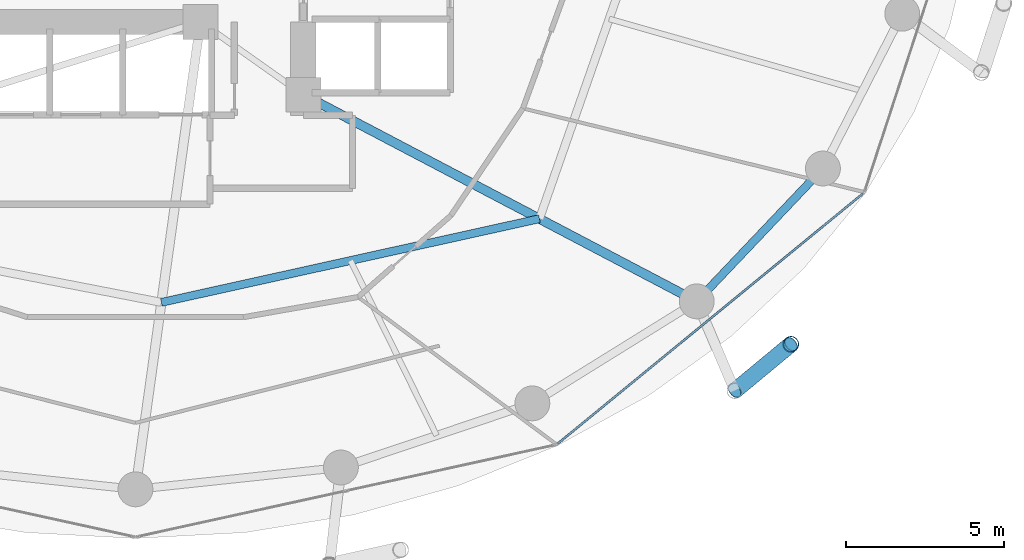
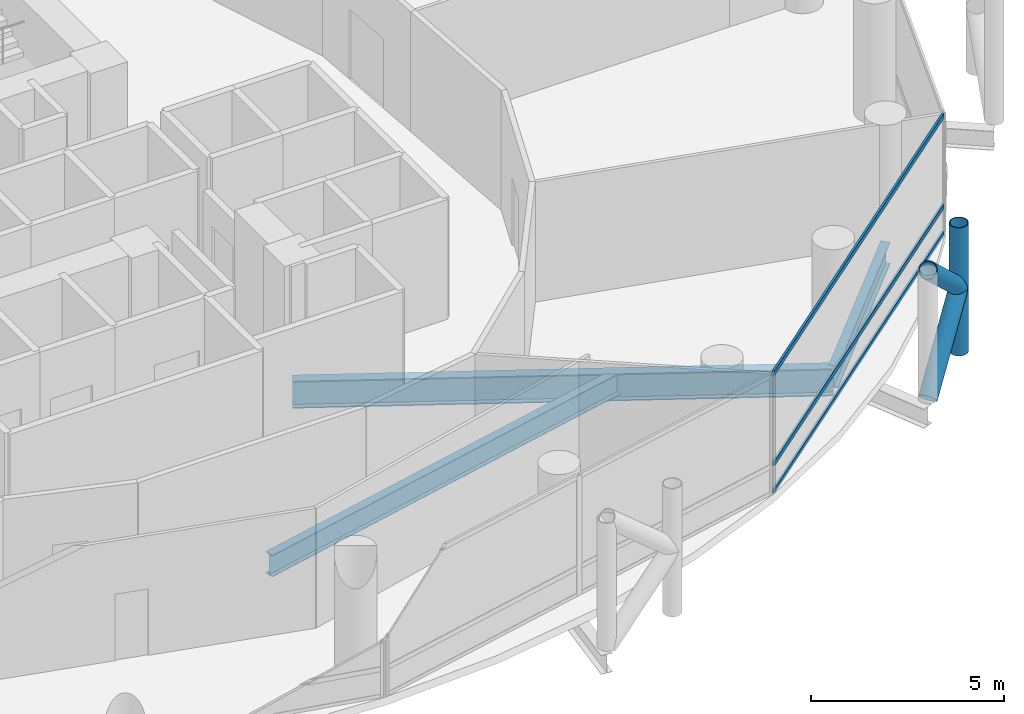
# One storey, part 9 of 24: 6 members, 3 beams, 1 element without a shape of its own.
"""IFC4 building model written with IfcOpenShell, lengths in metres."""

from ifc_helpers import new_model, si_unit, direction, frame, origin, origin_2d, place, context, subcontext, project, spatial, hollow_rectangle, hollow_circle, i_section, extrude, material, layer, layer_set, material_profile, profile_set, type_object, element, aggregate, save


model = new_model("IFC4")

# Units and contexts
model_context = context("Model", 3, precision=1e-05, world=origin(), true_north=direction((0.0, 1.0)))
body_context = subcontext(model_context, "Body", "Model", "MODEL_VIEW")
ifc_project = project(units=[si_unit("LENGTHUNIT", "METRE"), si_unit("AREAUNIT", "SQUARE_METRE"), si_unit("VOLUMEUNIT", "CUBIC_METRE"), si_unit("PLANEANGLEUNIT", "RADIAN"), si_unit("MASSUNIT", "GRAM", prefix="KILO")], contexts=[model_context])

# Site, building, storey
site_placement = place(None, origin())
site = spatial("IfcSite", under=ifc_project, at=site_placement, CompositionType="ELEMENT")
building_placement = place(site_placement, origin())
building = spatial("IfcBuilding", under=site, at=building_placement, Name="Nuhasar Tower", CompositionType="ELEMENT")
storey_placement = place(building_placement, frame((0.0, 0.0, 41.25)))
storey = spatial("IfcBuildingStorey", under=building, at=storey_placement, Name="L09", CompositionType="ELEMENT", Elevation=41.25)

# Beams
ifc_material_1 = material(Name="Steel S355", Category="steel")
ifc_material_profile_1 = material_profile(ifc_material_1, i_section(OverallWidth=0.25390625, OverallDepth=0.68408203125, WebThickness=0.012451171875, FlangeThickness=0.018798828125, at=origin_2d()), Name="W27X94")
ifc_profile_set_1 = profile_set([ifc_material_profile_1], Name="Steel S355")
beam_type_1 = type_object("IfcBeamType", Name="BM-INRING-W27X94", PredefinedType="BEAM", material=ifc_profile_set_1)
beam_1_placement = place(storey_placement, frame((39.820068359375, 12.449951171875, -0.60205078125), z_axis=(0.976386023343, 0.216033176665, 0.0), x_axis=(-0.216033176665, 0.976386023343, 0.0)))
element("IfcBeam", 1, at=beam_1_placement, inside=storey, type_object=beam_type_1, Name="L09 Inner Header Beam 02", PredefinedType="BEAM", context=body_context, shape_type="SweptSolid", body=[
    extrude(i_section(OverallWidth=0.25390625, OverallDepth=0.68408203125, WebThickness=0.012451171875, FlangeThickness=0.018798828125, at=origin_2d()), origin(), (0.0, 0.0, 1.0), 12.216552734375),
])
ifc_material_profile_2 = material_profile(ifc_material_1, i_section(OverallWidth=0.2919921875, OverallDepth=0.85888671875, WebThickness=0.01708984375, FlangeThickness=0.031005859375, at=origin_2d()), Name="W33X169")
ifc_profile_set_2 = profile_set([ifc_material_profile_2], Name="Steel S355")
beam_type_2 = type_object("IfcBeamType", Name="BM-POD-W33X169", PredefinedType="BEAM", material=ifc_profile_set_2)
beam_2_placement = place(storey_placement, frame((44.300048828125, 19.0, -0.68896484375), z_axis=(0.885330348705, -0.464962550816, 0.0), x_axis=(0.464962550816, 0.885330348705, 0.0)))
element("IfcBeam", 2, at=beam_2_placement, inside=storey, type_object=beam_type_2, Name="L09 Radial Floor Girder 03", PredefinedType="BEAM", context=body_context, shape_type="SweptSolid", body=[
    extrude(i_section(OverallWidth=0.2919921875, OverallDepth=0.85888671875, WebThickness=0.01708984375, FlangeThickness=0.031005859375, at=origin_2d()), origin(), (0.0, 0.0, 1.0), 14.0205078125),
])
ifc_material_profile_3 = material_profile(ifc_material_1, i_section(OverallWidth=0.256103515625, OverallDepth=0.693115234375, WebThickness=0.014404296875, FlangeThickness=0.023681640625, at=origin_2d()), Name="W27X114")
ifc_profile_set_3 = profile_set([ifc_material_profile_3], Name="Steel S355")
beam_type_3 = type_object("IfcBeamType", Name="BM-RING-W27X114", PredefinedType="SPANDREL", material=ifc_profile_set_3)
beam_3_placement = place(storey_placement, frame((56.712890625, 12.48095703125, -0.60595703125), z_axis=(0.688459812429, 0.725274490569, 0.0), x_axis=(-0.725274490569, 0.688459812429, 0.0)))
element("IfcBeam", 3, at=beam_3_placement, inside=storey, type_object=beam_type_3, Name="L09 Perimeter Ring Spandrel 22", PredefinedType="SPANDREL", context=body_context, shape_type="SweptSolid", body=[
    extrude(i_section(OverallWidth=0.256103515625, OverallDepth=0.693115234375, WebThickness=0.014404296875, FlangeThickness=0.023681640625, at=origin_2d()), origin(), (0.0, 0.0, 1.0), 5.78271484375),
])

# Curtain wall, members
ifc_material_2 = material(Name="Aluminium 6063-T6", Category="aluminium")
ifc_layer = layer(ifc_material_2, 0.199951171875)
ifc_layer_set = layer_set([ifc_layer], Name="Aluminium 6063-T6")
curtain_wall_type = type_object("IfcCurtainWallType", Name="CW-Z1-OFF", PredefinedType="NOTDEFINED", material=ifc_layer_set)
curtain_wall_placement = place(storey_placement, origin())
curtain_wall = element("IfcCurtainWall", 4, at=curtain_wall_placement, inside=storey, type_object=curtain_wall_type, Name="L09 Unitised Curtain Wall 11", PredefinedType="NOTDEFINED")
ifc_material_profile_4 = material_profile(ifc_material_2, hollow_rectangle(XDim=0.06494140625, YDim=0.14990234375, WallThickness=0.00439453125, at=origin_2d()), Name="CWT-2")
ifc_profile_set_4 = profile_set([ifc_material_profile_4], Name="Aluminium 6063-T6")
member_type_1 = type_object("IfcMemberType", Name="CW-TRN-S2", PredefinedType="USERDEFINED", material=ifc_profile_set_4)
member_1_placement = place(storey_placement, frame((52.330322265625, 7.99609375, 0.032470703125), z_axis=(0.773531229158, 0.633758185365, 0.0), x_axis=(-0.633758185365, 0.773531229158, 0.0)))
member_1 = element("IfcMember", 5, at=member_1_placement, type_object=member_type_1, Name="CW-Z1 transom 1.1", ObjectType="TRANSOM", PredefinedType="USERDEFINED", context=body_context, shape_type="SweptSolid", body=[
    extrude(hollow_rectangle(XDim=0.06494140625, YDim=0.14990234375, WallThickness=0.00439453125, at=origin_2d()), origin(), (0.0, 0.0, 1.0), 12.438232421875),
])
member_2_placement = place(storey_placement, frame((52.330322265625, 7.99609375, 0.89990234375), z_axis=(0.773531229158, 0.633758185365, 0.0), x_axis=(-0.633758185365, 0.773531229158, 0.0)))
member_2 = element("IfcMember", 6, at=member_2_placement, type_object=member_type_1, Name="CW-Z1 transom 1.2", ObjectType="TRANSOM", PredefinedType="USERDEFINED", context=body_context, shape_type="SweptSolid", body=[
    extrude(hollow_rectangle(XDim=0.06494140625, YDim=0.14990234375, WallThickness=0.00439453125, at=origin_2d()), origin(), (0.0, 0.0, 1.0), 12.438232421875),
])
member_3_placement = place(storey_placement, frame((52.330322265625, 7.99609375, 3.757568359375), z_axis=(0.773531229158, 0.633758185365, 0.0), x_axis=(-0.633758185365, 0.773531229158, 0.0)))
member_3 = element("IfcMember", 7, at=member_3_placement, type_object=member_type_1, Name="CW-Z1 transom 1.3", ObjectType="TRANSOM", PredefinedType="USERDEFINED", context=body_context, shape_type="SweptSolid", body=[
    extrude(hollow_rectangle(XDim=0.06494140625, YDim=0.14990234375, WallThickness=0.00439453125, at=origin_2d()), origin(), (0.0, 0.0, 1.0), 12.438232421875),
])
aggregate(curtain_wall, [member_1, member_2, member_3])

# Members
ifc_material_3 = material(Name="Steel S460", Category="steel")
ifc_material_profile_5 = material_profile(ifc_material_3, hollow_circle(Radius=0.25390625, WallThickness=0.025390625, at=origin_2d()), Name="HSS508X25.4")
ifc_profile_set_5 = profile_set([ifc_material_profile_5], Name="Steel S460")
member_type_2 = type_object("IfcMemberType", Name="EXO-BRONZE-508", PredefinedType="BRACE", material=ifc_profile_set_5)
member_4_placement = place(storey_placement, frame((59.68505859375, 11.12890625, 0.0), z_axis=(0.0, 0.0, 1.0), x_axis=(1.0, 0.0, 0.0)))
element("IfcMember", 8, at=member_4_placement, inside=storey, type_object=member_type_2, Name="L09 Exoskeleton Chord Column EC-11B", PredefinedType="BRACE", context=body_context, shape_type="SweptSolid", body=[
    extrude(hollow_circle(Radius=0.25390625, WallThickness=0.025390625, at=origin_2d()), origin(), (0.0, 0.0, 1.0), 4.050048828125),
])
member_5_placement = place(storey_placement, frame((57.9130859375, 9.660888671875, 0.0), z_axis=(0.578101613167, 0.478937034992, 0.660619286251), x_axis=(-0.637969333506, 0.770061769929, 0.0)))
element("IfcMember", 9, at=member_5_placement, inside=storey, type_object=member_type_2, Name="L09 Bronze Diagrid Brace W1-11", PredefinedType="BRACE", context=body_context, shape_type="SweptSolid", body=[
    extrude(hollow_circle(Radius=0.25390625, WallThickness=0.025390625, at=origin_2d()), origin(), (0.0, 0.0, 1.0), 3.065185546875),
])
member_6_placement = place(storey_placement, frame((59.68505859375, 11.12890625, 2.02490234375), z_axis=(-0.578071194894, -0.478911834514, 0.660664172175), x_axis=(0.637969333506, -0.770061769929, 0.0)))
element("IfcMember", 10, at=member_6_placement, inside=storey, type_object=member_type_2, Name="L09 Bronze Diagrid Brace W2-11", PredefinedType="BRACE", context=body_context, shape_type="SweptSolid", body=[
    extrude(hollow_circle(Radius=0.25390625, WallThickness=0.025390625, at=origin_2d()), origin(), (0.0, 0.0, 1.0), 3.0654296875),
])

save(model, "model.ifc")
